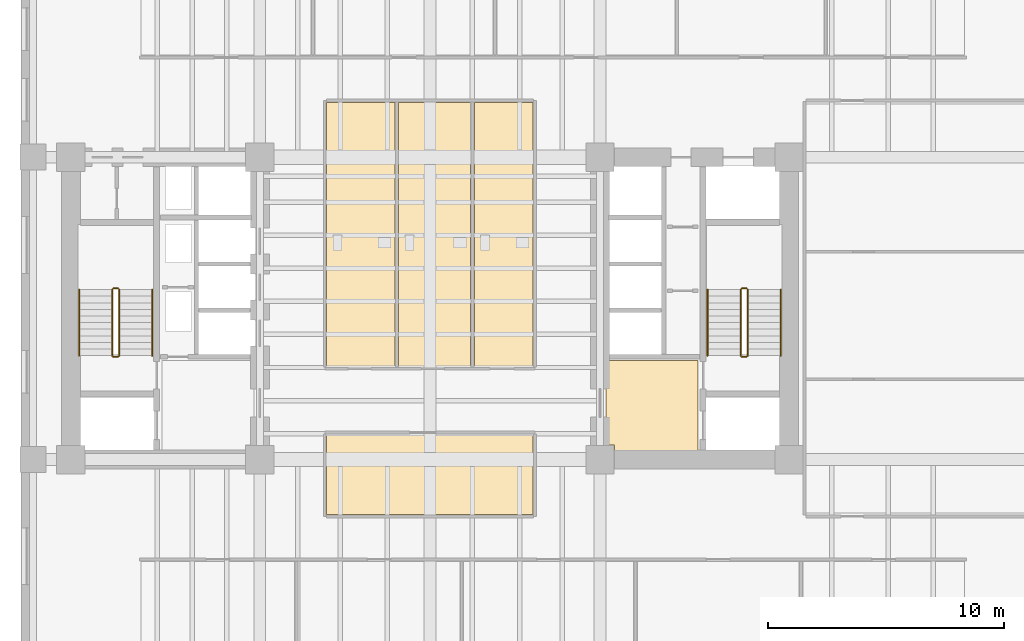
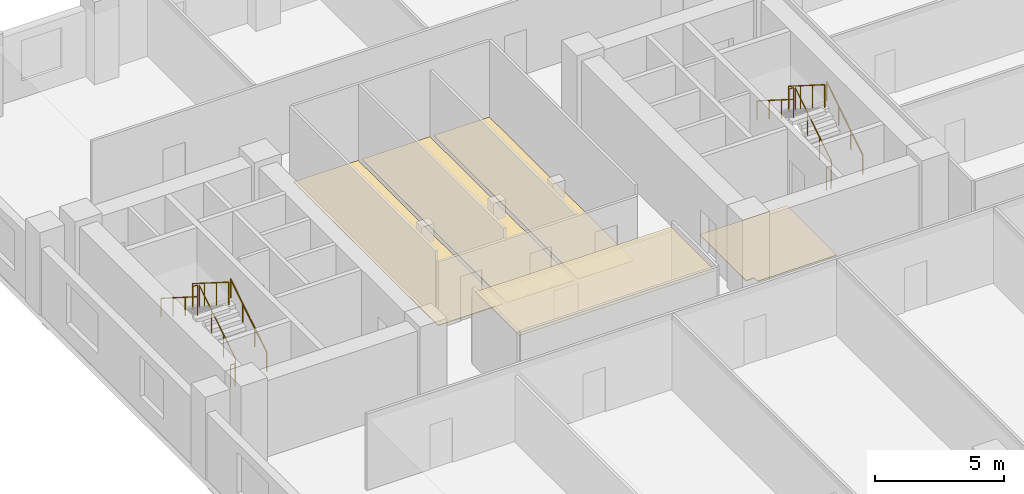
# One storey, part 7 of 9: 12 railings, 5 coverings.
"""IFC4 building model written with IfcOpenShell, lengths in metres."""

from ifc_helpers import new_model, si_unit, direction, frame, origin, origin_2d, place, context, subcontext, project, spatial, polyline, circle, outline, extrude, material, layer, layer_set, type_object, element, save


model = new_model("IFC4")

# Units and contexts
model_context = context("Model", 3, precision=1e-05, world=origin(), true_north=direction((0.0, 1.0)))
body_context = subcontext(model_context, "Body", "Model", "MODEL_VIEW")
ifc_project = project(units=[si_unit("LENGTHUNIT", "METRE"), si_unit("AREAUNIT", "SQUARE_METRE"), si_unit("VOLUMEUNIT", "CUBIC_METRE"), si_unit("PLANEANGLEUNIT", "RADIAN"), si_unit("MASSUNIT", "GRAM", prefix="KILO")], contexts=[model_context])

# Site, building, storey
site_placement = place(None, origin())
site = spatial("IfcSite", under=ifc_project, at=site_placement, CompositionType="ELEMENT")
building_placement = place(site_placement, origin())
building = spatial("IfcBuilding", under=site, at=building_placement, Name="Kranthara Brick Stack", CompositionType="ELEMENT")
storey_placement = place(building_placement, frame((0.0, 0.0, 63.300048828125)))
storey = spatial("IfcBuildingStorey", under=building, at=storey_placement, Name="L15", CompositionType="ELEMENT", Elevation=63.300048828125)

# Coverings
ifc_material_1 = material(Name="Perforated mineral-fibre acoustic ceiling tile", Category="other")
ifc_layer_1 = layer(ifc_material_1, 0.02490234375)
ifc_layer_set_1 = layer_set([ifc_layer_1], Name="Perforated mineral-fibre acoustic ceiling tile")
covering_type_1 = type_object("IfcCoveringType", Name="COV-CEIL-ACOUSTIC", PredefinedType="CEILING", material=ifc_layer_set_1)
covering_1_placement = place(storey_placement, frame((0.0, 0.0, 3.329833984375)))
element("IfcCovering", 1, at=covering_1_placement, inside=storey, type_object=covering_type_1, Name="L15 L15 Central Executive Briefing Room Acoustic Ceiling", PredefinedType="CEILING", context=body_context, shape_type="SweptSolid", body=[
    extrude(outline(polyline([(32.3701171875, 18.47998046875), (32.3701171875, 21.8798828125), (23.6298828125, 21.8798828125), (23.6298828125, 18.47998046875), (32.3701171875, 18.47998046875)])), origin(), (0.0, 0.0, 1.0), 0.025146484375),
])
ifc_material_2 = material(Name="Honed terrazzo and porcelain floor finish", Category="stone")
ifc_layer_2 = layer(ifc_material_2, 0.030029296875)
ifc_layer_set_2 = layer_set([ifc_layer_2], Name="Honed terrazzo and porcelain floor finish")
covering_type_2 = type_object("IfcCoveringType", Name="COV-FLOR-STONE", PredefinedType="FLOORING", material=ifc_layer_set_2)
covering_2_placement = place(storey_placement, origin())
element("IfcCovering", 2, at=covering_2_placement, inside=storey, type_object=covering_type_2, Name="L15 Lift Lobby Stone Flooring", PredefinedType="FLOORING", context=body_context, shape_type="SweptSolid", body=[
    extrude(outline(polyline([(35.449951171875, 25.0), (39.35009765625, 25.0), (39.35009765625, 21.14990234375), (35.81005859375, 21.14990234375), (35.81005859375, 21.409912109375), (35.449951171875, 21.409912109375), (35.449951171875, 25.0)])), origin(), (0.0, 0.0, 1.0), 0.030029296875),
])
covering_3_placement = place(storey_placement, origin())
element("IfcCovering", 3, at=covering_3_placement, inside=storey, type_object=covering_type_2, Name="L15 Wet Room Porcelain Flooring", PredefinedType="FLOORING", context=body_context, shape_type="SweptSolid", body=[
    extrude(outline(polyline([(26.52001953125, 24.75), (26.52001953125, 35.919921875), (23.6298828125, 35.919921875), (23.6298828125, 24.75), (26.52001953125, 24.75)])), origin(), (0.0, 0.0, 1.0), 0.030029296875),
])
covering_4_placement = place(storey_placement, origin())
element("IfcCovering", 4, at=covering_4_placement, inside=storey, type_object=covering_type_2, Name="L15 Wet Room Porcelain Flooring", PredefinedType="FLOORING", context=body_context, shape_type="SweptSolid", body=[
    extrude(outline(polyline([(29.719970703125, 24.75), (29.719970703125, 35.919921875), (26.679931640625, 35.919921875), (26.679931640625, 24.75), (29.719970703125, 24.75)])), origin(), (0.0, 0.0, 1.0), 0.030029296875),
])
covering_5_placement = place(storey_placement, origin())
element("IfcCovering", 5, at=covering_5_placement, inside=storey, type_object=covering_type_2, Name="L15 Wet Room Porcelain Flooring", PredefinedType="FLOORING", context=body_context, shape_type="SweptSolid", body=[
    extrude(outline(polyline([(32.3701171875, 24.75), (32.3701171875, 35.919921875), (29.8798828125, 35.919921875), (29.8798828125, 24.75), (32.3701171875, 24.75)])), origin(), (0.0, 0.0, 1.0), 0.030029296875),
])

# Railings
ifc_material_3 = material(Name="Painted galvanized steel stair guardrail", Category="steel")
railing_type_1 = type_object("IfcRailingType", Name="RL-STAIR-GUARD-1100", PredefinedType="GUARDRAIL", material=ifc_material_3)
railing_1_placement = place(storey_placement, frame((14.85009765625, 25.199951171875, 0.17724609375)))
element("IfcRailing", 6, at=railing_1_placement, inside=storey, type_object=railing_type_1, Name="L15 ST01 stair guard 1", PredefinedType="GUARDRAIL", context=body_context, shape_type="SweptSolid", body=[
    extrude(circle(Radius=0.02392578125, at=origin_2d()), frame((0.0, 0.0, 1.076171875), z_axis=(0.0, 0.844908973607, 0.534910110503), x_axis=(-1.0, 0.0, 0.0)), (0.0, 0.0, 1.0), 3.31396484375),
    extrude(circle(Radius=0.02099609375, at=origin_2d()), origin(), (0.0, 0.0, 1.0), 1.052001953125),
    extrude(circle(Radius=0.02099609375, at=origin_2d()), frame((0.0, 0.933349609375, 0.5908203125)), (0.0, 0.0, 1.0), 1.052001953125),
    extrude(circle(Radius=0.02099609375, at=origin_2d()), frame((0.0, 1.86669921875, 1.181884765625)), (0.0, 0.0, 1.0), 1.052001953125),
    extrude(circle(Radius=0.02099609375, at=origin_2d()), frame((0.0, 2.800048828125, 1.772705078125)), (0.0, 0.0, 1.0), 1.052001953125),
])
railing_2_placement = place(storey_placement, frame((14.800048828125, 28.050048828125, 1.949951171875)))
element("IfcRailing", 7, at=railing_2_placement, inside=storey, type_object=railing_type_1, Name="L15 ST01 stair guard 2", PredefinedType="GUARDRAIL", context=body_context, shape_type="SweptSolid", body=[
    extrude(circle(Radius=0.02392578125, at=origin_2d()), frame((0.0, 0.0, 1.076171875), z_axis=(-1.0, 0.0, 0.0), x_axis=(0.0, -1.0, 0.0)), (0.0, 0.0, 1.0), 0.199951171875),
    extrude(circle(Radius=0.02099609375, at=origin_2d()), origin(), (0.0, 0.0, 1.0), 1.052001953125),
    extrude(circle(Radius=0.02099609375, at=origin_2d()), frame((-0.199951171875, 0.0, 0.0)), (0.0, 0.0, 1.0), 1.052001953125),
])
railing_3_placement = place(storey_placement, frame((14.550048828125, 28.0, 2.127197265625)))
element("IfcRailing", 8, at=railing_3_placement, inside=storey, type_object=railing_type_1, Name="L15 ST01 stair guard 3", PredefinedType="GUARDRAIL", context=body_context, shape_type="SweptSolid", body=[
    extrude(circle(Radius=0.02392578125, at=origin_2d()), frame((0.0, 0.0, 1.076171875), z_axis=(0.0, -0.844908973607, 0.534910110503), x_axis=(1.0, 0.0, 0.0)), (0.0, 0.0, 1.0), 3.31396484375),
    extrude(circle(Radius=0.02099609375, at=origin_2d()), origin(), (0.0, 0.0, 1.0), 1.052001953125),
    extrude(circle(Radius=0.02099609375, at=origin_2d()), frame((0.0, -0.933349609375, 0.5908203125)), (0.0, 0.0, 1.0), 1.052001953125),
    extrude(circle(Radius=0.02099609375, at=origin_2d()), frame((0.0, -1.86669921875, 1.181884765625)), (0.0, 0.0, 1.0), 1.052001953125),
    extrude(circle(Radius=0.02099609375, at=origin_2d()), frame((0.0, -2.800048828125, 1.772705078125)), (0.0, 0.0, 1.0), 1.052001953125),
])
railing_4_placement = place(storey_placement, frame((14.800048828125, 25.14990234375, 0.0)))
element("IfcRailing", 9, at=railing_4_placement, inside=storey, type_object=railing_type_1, Name="L15 ST01 stair guard 4", PredefinedType="GUARDRAIL", context=body_context, shape_type="SweptSolid", body=[
    extrude(circle(Radius=0.02392578125, at=origin_2d()), frame((0.0, 0.0, 1.076171875), z_axis=(-1.0, 0.0, 0.0), x_axis=(0.0, -1.0, 0.0)), (0.0, 0.0, 1.0), 0.199951171875),
    extrude(circle(Radius=0.02099609375, at=origin_2d()), origin(), (0.0, 0.0, 1.0), 1.052001953125),
    extrude(circle(Radius=0.02099609375, at=origin_2d()), frame((-0.199951171875, 0.0, 0.0)), (0.0, 0.0, 1.0), 1.052001953125),
])
railing_5_placement = place(storey_placement, frame((41.449951171875, 25.199951171875, 0.17724609375)))
element("IfcRailing", 10, at=railing_5_placement, inside=storey, type_object=railing_type_1, Name="L15 ST02 stair guard 1", PredefinedType="GUARDRAIL", context=body_context, shape_type="SweptSolid", body=[
    extrude(circle(Radius=0.02392578125, at=origin_2d()), frame((0.0, 0.0, 1.076171875), z_axis=(0.0, 0.844908973607, 0.534910110503), x_axis=(-1.0, 0.0, 0.0)), (0.0, 0.0, 1.0), 3.31396484375),
    extrude(circle(Radius=0.02099609375, at=origin_2d()), origin(), (0.0, 0.0, 1.0), 1.052001953125),
    extrude(circle(Radius=0.02099609375, at=origin_2d()), frame((0.0, 0.933349609375, 0.5908203125)), (0.0, 0.0, 1.0), 1.052001953125),
    extrude(circle(Radius=0.02099609375, at=origin_2d()), frame((0.0, 1.86669921875, 1.181884765625)), (0.0, 0.0, 1.0), 1.052001953125),
    extrude(circle(Radius=0.02099609375, at=origin_2d()), frame((0.0, 2.800048828125, 1.772705078125)), (0.0, 0.0, 1.0), 1.052001953125),
])
railing_6_placement = place(storey_placement, frame((41.39990234375, 28.050048828125, 1.949951171875)))
element("IfcRailing", 11, at=railing_6_placement, inside=storey, type_object=railing_type_1, Name="L15 ST02 stair guard 2", PredefinedType="GUARDRAIL", context=body_context, shape_type="SweptSolid", body=[
    extrude(circle(Radius=0.02392578125, at=origin_2d()), frame((0.0, 0.0, 1.076171875), z_axis=(-1.0, 0.0, 0.0), x_axis=(0.0, -1.0, 0.0)), (0.0, 0.0, 1.0), 0.199951171875),
    extrude(circle(Radius=0.02099609375, at=origin_2d()), origin(), (0.0, 0.0, 1.0), 1.052001953125),
    extrude(circle(Radius=0.02099609375, at=origin_2d()), frame((-0.199951171875, 0.0, 0.0)), (0.0, 0.0, 1.0), 1.052001953125),
])
railing_7_placement = place(storey_placement, frame((41.14990234375, 28.0, 2.127197265625)))
element("IfcRailing", 12, at=railing_7_placement, inside=storey, type_object=railing_type_1, Name="L15 ST02 stair guard 3", PredefinedType="GUARDRAIL", context=body_context, shape_type="SweptSolid", body=[
    extrude(circle(Radius=0.02392578125, at=origin_2d()), frame((0.0, 0.0, 1.076171875), z_axis=(0.0, -0.844908973607, 0.534910110503), x_axis=(1.0, 0.0, 0.0)), (0.0, 0.0, 1.0), 3.31396484375),
    extrude(circle(Radius=0.02099609375, at=origin_2d()), origin(), (0.0, 0.0, 1.0), 1.052001953125),
    extrude(circle(Radius=0.02099609375, at=origin_2d()), frame((0.0, -0.933349609375, 0.5908203125)), (0.0, 0.0, 1.0), 1.052001953125),
    extrude(circle(Radius=0.02099609375, at=origin_2d()), frame((0.0, -1.86669921875, 1.181884765625)), (0.0, 0.0, 1.0), 1.052001953125),
    extrude(circle(Radius=0.02099609375, at=origin_2d()), frame((0.0, -2.800048828125, 1.772705078125)), (0.0, 0.0, 1.0), 1.052001953125),
])
railing_8_placement = place(storey_placement, frame((41.39990234375, 25.14990234375, 0.0)))
element("IfcRailing", 13, at=railing_8_placement, inside=storey, type_object=railing_type_1, Name="L15 ST02 stair guard 4", PredefinedType="GUARDRAIL", context=body_context, shape_type="SweptSolid", body=[
    extrude(circle(Radius=0.02392578125, at=origin_2d()), frame((0.0, 0.0, 1.076171875), z_axis=(-1.0, 0.0, 0.0), x_axis=(0.0, -1.0, 0.0)), (0.0, 0.0, 1.0), 0.199951171875),
    extrude(circle(Radius=0.02099609375, at=origin_2d()), origin(), (0.0, 0.0, 1.0), 1.052001953125),
    extrude(circle(Radius=0.02099609375, at=origin_2d()), frame((-0.199951171875, 0.0, 0.0)), (0.0, 0.0, 1.0), 1.052001953125),
])
ifc_material_4 = material(Name="Brushed stainless steel tubular handrail", Category="steel")
railing_type_2 = type_object("IfcRailingType", Name="RL-STAIR-HAND-900", PredefinedType="HANDRAIL", material=ifc_material_4)
railing_9_placement = place(storey_placement, frame((16.25, 25.199951171875, 0.17724609375)))
element("IfcRailing", 14, at=railing_9_placement, inside=storey, type_object=railing_type_2, Name="L15 ST01 stair handrail 1", PredefinedType="HANDRAIL", context=body_context, shape_type="SweptSolid", body=[
    extrude(circle(Radius=0.02392578125, at=origin_2d()), frame((0.0, 0.0, 0.8759765625), z_axis=(0.0, 0.844908973607, 0.534910110503), x_axis=(-1.0, 0.0, 0.0)), (0.0, 0.0, 1.0), 3.31396484375),
    extrude(circle(Radius=0.02099609375, at=origin_2d()), origin(), (0.0, 0.0, 1.0), 0.851806640625),
    extrude(circle(Radius=0.02099609375, at=origin_2d()), frame((0.0, 0.933349609375, 0.5908203125)), (0.0, 0.0, 1.0), 0.851806640625),
    extrude(circle(Radius=0.02099609375, at=origin_2d()), frame((0.0, 1.86669921875, 1.181884765625)), (0.0, 0.0, 1.0), 0.851806640625),
    extrude(circle(Radius=0.02099609375, at=origin_2d()), frame((0.0, 2.800048828125, 1.772705078125)), (0.0, 0.0, 1.0), 0.851806640625),
])
railing_10_placement = place(storey_placement, frame((13.14990234375, 28.0, 2.127197265625)))
element("IfcRailing", 15, at=railing_10_placement, inside=storey, type_object=railing_type_2, Name="L15 ST01 stair handrail 2", PredefinedType="HANDRAIL", context=body_context, shape_type="SweptSolid", body=[
    extrude(circle(Radius=0.02392578125, at=origin_2d()), frame((0.0, 0.0, 0.8759765625), z_axis=(0.0, -0.844908973607, 0.534910110503), x_axis=(1.0, 0.0, 0.0)), (0.0, 0.0, 1.0), 3.31396484375),
    extrude(circle(Radius=0.02099609375, at=origin_2d()), origin(), (0.0, 0.0, 1.0), 0.851806640625),
    extrude(circle(Radius=0.02099609375, at=origin_2d()), frame((0.0, -0.933349609375, 0.5908203125)), (0.0, 0.0, 1.0), 0.851806640625),
    extrude(circle(Radius=0.02099609375, at=origin_2d()), frame((0.0, -1.86669921875, 1.181884765625)), (0.0, 0.0, 1.0), 0.851806640625),
    extrude(circle(Radius=0.02099609375, at=origin_2d()), frame((0.0, -2.800048828125, 1.772705078125)), (0.0, 0.0, 1.0), 0.851806640625),
])
railing_11_placement = place(storey_placement, frame((42.85009765625, 25.199951171875, 0.17724609375)))
element("IfcRailing", 16, at=railing_11_placement, inside=storey, type_object=railing_type_2, Name="L15 ST02 stair handrail 1", PredefinedType="HANDRAIL", context=body_context, shape_type="SweptSolid", body=[
    extrude(circle(Radius=0.02392578125, at=origin_2d()), frame((0.0, 0.0, 0.8759765625), z_axis=(0.0, 0.844908973607, 0.534910110503), x_axis=(-1.0, 0.0, 0.0)), (0.0, 0.0, 1.0), 3.31396484375),
    extrude(circle(Radius=0.02099609375, at=origin_2d()), origin(), (0.0, 0.0, 1.0), 0.851806640625),
    extrude(circle(Radius=0.02099609375, at=origin_2d()), frame((0.0, 0.933349609375, 0.5908203125)), (0.0, 0.0, 1.0), 0.851806640625),
    extrude(circle(Radius=0.02099609375, at=origin_2d()), frame((0.0, 1.86669921875, 1.181884765625)), (0.0, 0.0, 1.0), 0.851806640625),
    extrude(circle(Radius=0.02099609375, at=origin_2d()), frame((0.0, 2.800048828125, 1.772705078125)), (0.0, 0.0, 1.0), 0.851806640625),
])
railing_12_placement = place(storey_placement, frame((39.75, 28.0, 2.127197265625)))
element("IfcRailing", 17, at=railing_12_placement, inside=storey, type_object=railing_type_2, Name="L15 ST02 stair handrail 2", PredefinedType="HANDRAIL", context=body_context, shape_type="SweptSolid", body=[
    extrude(circle(Radius=0.02392578125, at=origin_2d()), frame((0.0, 0.0, 0.8759765625), z_axis=(0.0, -0.844908973607, 0.534910110503), x_axis=(1.0, 0.0, 0.0)), (0.0, 0.0, 1.0), 3.31396484375),
    extrude(circle(Radius=0.02099609375, at=origin_2d()), origin(), (0.0, 0.0, 1.0), 0.851806640625),
    extrude(circle(Radius=0.02099609375, at=origin_2d()), frame((0.0, -0.933349609375, 0.5908203125)), (0.0, 0.0, 1.0), 0.851806640625),
    extrude(circle(Radius=0.02099609375, at=origin_2d()), frame((0.0, -1.86669921875, 1.181884765625)), (0.0, 0.0, 1.0), 0.851806640625),
    extrude(circle(Radius=0.02099609375, at=origin_2d()), frame((0.0, -2.800048828125, 1.772705078125)), (0.0, 0.0, 1.0), 0.851806640625),
])

save(model, "model.ifc")
